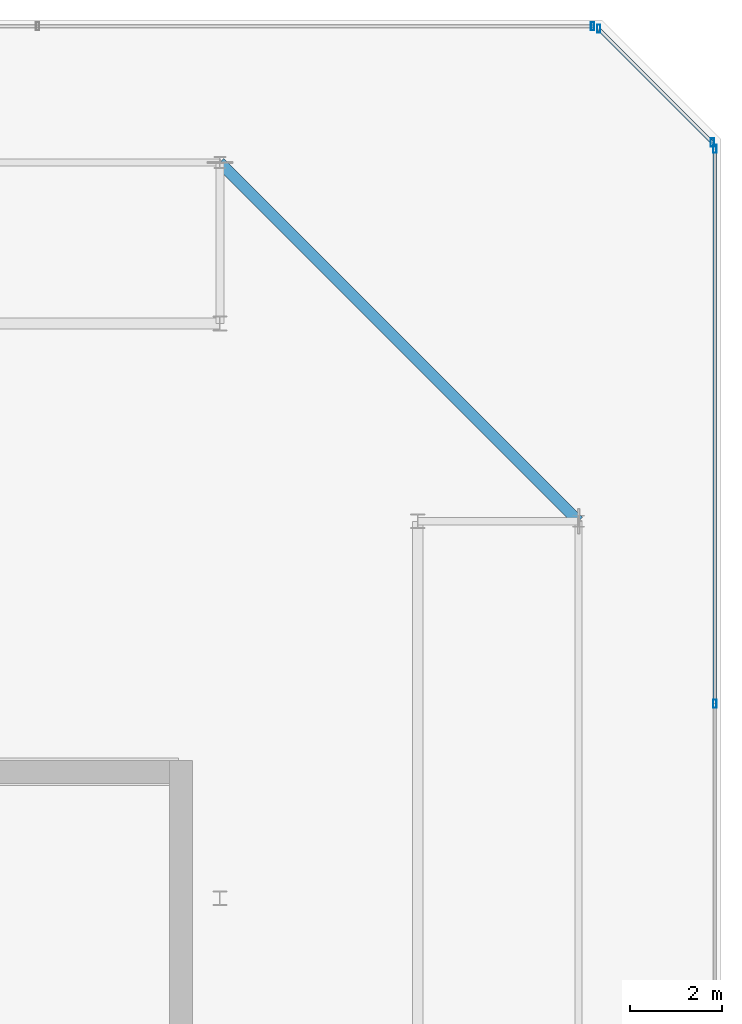
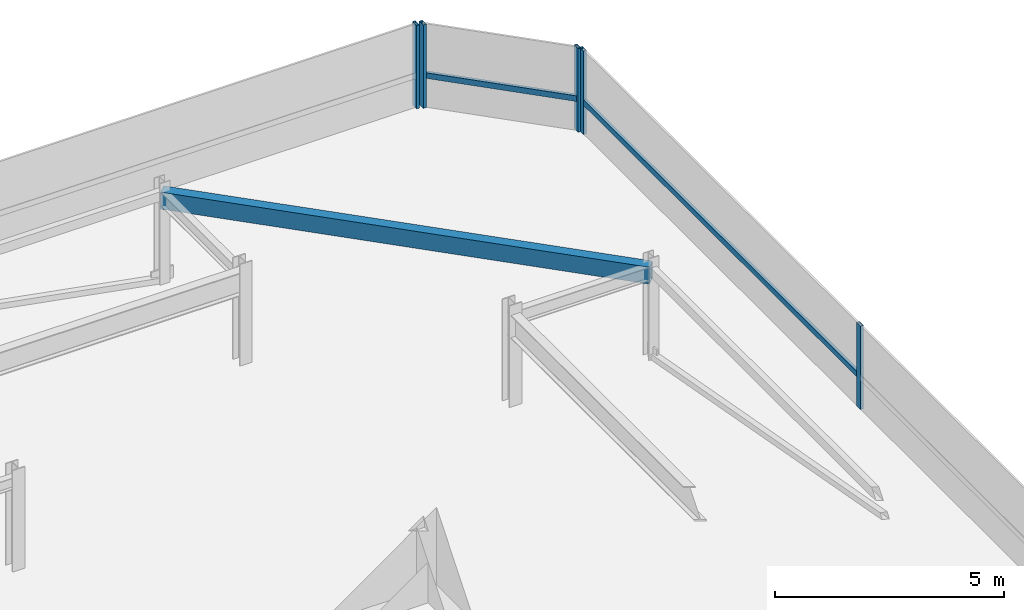
# One storey, part 38 of 44: 7 members, 1 beam, 3 elements without a shape of their own.
"""IFC4 building model written with IfcOpenShell, lengths in metres."""

import ifcopenshell
import ifcopenshell.guid

model = None  # the IFC model being written
_history = None  # IfcOwnerHistory: only IFC2X3 demands one
_inside = {}  # id of a spatial element -> (the spatial element, [elements in it])
_under = {}  # id of a project, library or spatial element -> (it, [spatial elements below it])
_declared = {}  # id of a project -> (the project, [libraries it declares])
_typed = {}  # id of a type object -> (the type object, [elements of that type])
_made_of = {}  # id of a material, layer set ... -> (it, [elements and type objects made of it])


def new_model(schema):
    """Start an empty IFC model of exactly this schema.

    Asked for "IFC4X3", IfcOpenShell would pick the latest addendum, in which some entities
    have other attributes; the version numbers below select the first issue.
    IFC2X3 requires an IfcOwnerHistory on every rooted entity: one is made here for all.
    """
    global model, _history
    if schema == "IFC4X3":
        model = ifcopenshell.file(schema_version=(4, 3, 0, 0))
    else:
        model = ifcopenshell.file(schema=schema)
    _inside.clear()
    _under.clear()
    _declared.clear()
    _typed.clear()
    _made_of.clear()
    _history = None
    if model.schema == "IFC2X3":
        org = make("IfcOrganization", Name="unknown")
        user = make(
            "IfcPersonAndOrganization",
            ThePerson=make("IfcPerson", FamilyName="unknown"),
            TheOrganization=org,
        )
        app = make(
            "IfcApplication",
            ApplicationDeveloper=org,
            Version="unknown",
            ApplicationFullName="unknown",
            ApplicationIdentifier="unknown",
        )
        _history = make(
            "IfcOwnerHistory",
            OwningUser=user,
            OwningApplication=app,
            ChangeAction="ADDED",
            CreationDate=0,
        )
    return model


def make(cls, **values):
    """One entity of the class cls with the attributes given. An attribute that is None is left unset."""
    return model.create_entity(
        cls, **{name: value for name, value in values.items() if value is not None}
    )


def rooted(cls, **values):
    """An entity with a GlobalId (a new one), such as an element, a storey or a relation."""
    return make(cls, GlobalId=ifcopenshell.guid.new(), OwnerHistory=_history, **values)


def si_unit(unit_type, name, prefix=None):
    """IfcSIUnit, for example si_unit("LENGTHUNIT", "METRE", prefix="MILLI")."""
    return make("IfcSIUnit", UnitType=unit_type, Prefix=prefix, Name=name)


def assignment(units):
    """IfcUnitAssignment: the units of a project."""
    return None if units is None else make("IfcUnitAssignment", Units=units)


def point(xyz):
    """IfcCartesianPoint."""
    return None if xyz is None else make("IfcCartesianPoint", Coordinates=xyz)


def direction(xyz):
    """IfcDirection."""
    return None if xyz is None else make("IfcDirection", DirectionRatios=xyz)


def frame(location, z_axis=None, x_axis=None):
    """IfcAxis2Placement3D, a coordinate frame: its origin and axes. An axis left out is left unset."""
    return make(
        "IfcAxis2Placement3D",
        Location=point(location),
        Axis=direction(z_axis),
        RefDirection=direction(x_axis),
    )


def frame_2d(location, x_axis=None):
    """IfcAxis2Placement2D, a coordinate frame in the plane: its origin and x axis."""
    return make(
        "IfcAxis2Placement2D", Location=point(location), RefDirection=direction(x_axis)
    )


def origin():
    """The frame at (0, 0, 0) with its axes left unset."""
    return frame((0.0, 0.0, 0.0))


def origin_2d():
    """The frame at (0, 0) in the plane with its x axis left unset."""
    return frame_2d((0.0, 0.0))


def place(relative_to, where):
    """IfcLocalPlacement: puts the frame where relative to a parent placement (None: the world)."""
    return make(
        "IfcLocalPlacement", PlacementRelTo=relative_to, RelativePlacement=where
    )


def context(
    kind, dimensions, precision=None, world=None, true_north=None, identifier=None
):
    """IfcGeometricRepresentationContext, for example the 3D "Model" context."""
    return make(
        "IfcGeometricRepresentationContext",
        ContextIdentifier=identifier,
        ContextType=kind,
        CoordinateSpaceDimension=dimensions,
        Precision=precision,
        WorldCoordinateSystem=world,
        TrueNorth=true_north,
    )


def subcontext(parent, identifier, kind, view, scale=None):
    """IfcGeometricRepresentationSubContext, for example "Body" below "Model"."""
    return make(
        "IfcGeometricRepresentationSubContext",
        ContextIdentifier=identifier,
        ContextType=kind,
        ParentContext=parent,
        TargetScale=scale,
        TargetView=view,
    )


def project(units=None, contexts=None):
    """IfcProject with its units and contexts."""
    return rooted(
        "IfcProject",
        Name="project",
        RepresentationContexts=contexts,
        UnitsInContext=assignment(units),
    )


def spatial(cls, under=None, at=None, **own):
    """A site, building, storey or space (cls), placed at a placement, below another one or the project."""
    s = rooted(cls, ObjectPlacement=at, **own)
    if under is not None:
        _under.setdefault(under.id(), (under, []))[1].append(s)
    return s


def profile(cls, at=None, kind="AREA", **sizes):
    """A parametric profile (cls). Its sizes go by their IFC names, for example OverallWidth=200.0."""
    return make(cls, ProfileType=kind, Position=at, **sizes)


def hollow_rectangle(**sizes):
    """IfcRectangleHollowProfileDef."""
    return profile("IfcRectangleHollowProfileDef", **sizes)


def extrude(swept, where, along, depth):
    """IfcExtrudedAreaSolid: the profile swept, set in the frame where, extruded along a direction by depth."""
    return make(
        "IfcExtrudedAreaSolid",
        SweptArea=swept,
        Position=where,
        ExtrudedDirection=direction(along),
        Depth=depth,
    )


def shape(context_of_items, identifier, shape_type, items):
    """IfcShapeRepresentation: the items that make up one representation, for example the "Body"."""
    return make(
        "IfcShapeRepresentation",
        ContextOfItems=context_of_items,
        RepresentationIdentifier=identifier,
        RepresentationType=shape_type,
        Items=items,
    )


def material(Name=None, Category=None):
    """IfcMaterial."""
    return make("IfcMaterial", Name=Name, Category=Category)


def material_profile(
    of_material, cross_section, Name=None, Category=None, Priority=None
):
    """IfcMaterialProfile: a cross section and its material."""
    return make(
        "IfcMaterialProfile",
        Name=Name,
        Material=of_material,
        Profile=cross_section,
        Priority=Priority,
        Category=Category,
    )


def profile_set(profiles, Name=None, composite=None):
    """IfcMaterialProfileSet."""
    return make(
        "IfcMaterialProfileSet",
        Name=Name,
        MaterialProfiles=profiles,
        CompositeProfile=composite,
    )


def made_of(thing, what):
    """Note that an element or type object is made of a material, layer set ...; save() writes the relation."""
    if what is not None:
        _made_of.setdefault(what.id(), (what, []))[1].append(thing)
    return thing


def type_object(cls, material=None, **own):
    """A type object (cls), such as IfcWallType, which elements share."""
    return made_of(rooted(cls, **own), material)


def element(
    cls,
    number,
    at=None,
    inside=None,
    cuts=None,
    type_object=None,
    material=None,
    context=None,
    identifier="Body",
    shape_type=None,
    held_by="IfcProductDefinitionShape",
    body=None,
    shapes=None,
    **own,
):
    """One element of the class cls, such as IfcWall. Its Tag is "e" and its number.

    at: its placement. inside: the storey or other place that contains it. cuts: it is an
    opening in that element (IfcRelVoidsElement). A single representation is given by context,
    identifier, shape_type and body (its items); several are given by shapes. held_by: the class
    of the entity that holds the representations. save() writes the other relations.
    """
    e = rooted(cls, Tag="e%d" % number, ObjectPlacement=at, **own)
    if body is not None:
        shapes = [shape(context, identifier, shape_type, body)]
    if shapes is not None:
        e.Representation = make(held_by, Representations=shapes)
    if inside is not None:
        _inside.setdefault(inside.id(), (inside, []))[1].append(e)
    if cuts is not None:
        rooted(
            "IfcRelVoidsElement", RelatingBuildingElement=cuts, RelatedOpeningElement=e
        )
    if type_object is not None:
        _typed.setdefault(type_object.id(), (type_object, []))[1].append(e)
    return made_of(e, material)


def aggregate(whole, parts):
    """IfcRelAggregates: a whole, such as a stair, and the parts it consists of."""
    return rooted("IfcRelAggregates", RelatingObject=whole, RelatedObjects=parts)


def save(model, path):
    """Write the relations noted so far, then the file.

    IfcRelAggregates (storeys below a building ...), IfcRelContainedInSpatialStructure (elements
    in a storey), IfcRelDefinesByType, IfcRelAssociatesMaterial and IfcRelDeclares: one each for
    every whole, place, type object, material and project.
    """
    for whole, parts in _under.values():
        aggregate(whole, parts)
    for where, things in _inside.values():
        rooted(
            "IfcRelContainedInSpatialStructure",
            RelatedElements=things,
            RelatingStructure=where,
        )
    for kind, things in _typed.values():
        rooted("IfcRelDefinesByType", RelatedObjects=things, RelatingType=kind)
    for what, things in _made_of.values():
        rooted("IfcRelAssociatesMaterial", RelatedObjects=things, RelatingMaterial=what)
    for by, libraries in _declared.values():
        rooted("IfcRelDeclares", RelatingContext=by, RelatedDefinitions=libraries)
    model.write(path)


model = new_model("IFC4")

# Units and contexts
model_context = context("Model", 3, precision=1e-05, world=origin(), true_north=direction((0.0, 1.0)))
body_context = subcontext(model_context, "Body", "Model", "MODEL_VIEW")
ifc_project = project(units=[si_unit("LENGTHUNIT", "METRE"), si_unit("AREAUNIT", "SQUARE_METRE"), si_unit("VOLUMEUNIT", "CUBIC_METRE"), si_unit("PLANEANGLEUNIT", "RADIAN"), si_unit("MASSUNIT", "GRAM", prefix="KILO")], contexts=[model_context])

# Site, building, storey
site_placement = place(None, origin())
site = spatial("IfcSite", under=ifc_project, at=site_placement, CompositionType="ELEMENT")
building_placement = place(site_placement, origin())
building = spatial("IfcBuilding", under=site, at=building_placement, Name="Thornwick Lancets Civic Towers", CompositionType="ELEMENT")
storey_placement = place(building_placement, frame((0.0, 0.0, 294.89990234375)))
storey = spatial("IfcBuildingStorey", under=building, at=storey_placement, Name="C06", CompositionType="ELEMENT", Elevation=294.89990234375)

# Beam
ifc_material_1 = material(Name="Steel S355JR", Category="steel")
ifc_material_profile_1 = material_profile(ifc_material_1, hollow_rectangle(XDim=0.25, YDim=0.449951171875, WallThickness=0.01611328125, at=origin_2d()), Name="RHS 450x250x16")
ifc_profile_set_1 = profile_set([ifc_material_profile_1], Name="Steel S355JR")
beam_type = type_object("IfcBeamType", Name="BM_RING_RHS450", PredefinedType="BEAM", material=ifc_profile_set_1)
beam_placement = place(storey_placement, frame((109.300048828125, 40.0, 2.215087890625), z_axis=(-0.707106781187, 0.707106781187, 0.0), x_axis=(-0.707106781187, -0.707106781187, 0.0)))
element("IfcBeam", 1, at=beam_placement, inside=storey, type_object=beam_type, Name="BM-CHAMF-C06-B-C0", PredefinedType="BEAM", context=body_context, shape_type="SweptSolid", body=[
    extrude(hollow_rectangle(XDim=0.25, YDim=0.449951171875, WallThickness=0.01611328125, at=origin_2d()), origin(), (0.0, 0.0, 1.0), 11.031005859375),
])

# Curtain wall, members
ifc_material_2 = material(Name="Crown ring acoustic-louvre and glazing screen wall", Category="glass")
curtain_wall_type = type_object("IfcCurtainWallType", Name="CW_SYS_07", PredefinedType="NOTDEFINED", material=ifc_material_2)
curtain_wall_1_placement = place(storey_placement, origin())
curtain_wall_1 = element("IfcCurtainWall", 2, at=curtain_wall_1_placement, inside=storey, type_object=curtain_wall_type, Name="C06 Curtain Wall CW-C06-B-E2", PredefinedType="NOTDEFINED")
ifc_material_3 = material(Name="Thermally broken bronze aluminium S355", Category="steel")
ifc_material_profile_2 = material_profile(ifc_material_3, hollow_rectangle(XDim=0.074951171875, YDim=0.179931640625, WallThickness=0.006103515625, at=origin_2d()), Name="RHS 180x75x6")
ifc_profile_set_2 = profile_set([ifc_material_profile_2], Name="Thermally broken bronze aluminium S355")
member_type_1 = type_object("IfcMemberType", Name="CW_MUL_180", PredefinedType="MULLION", material=ifc_profile_set_2)
member_1_placement = place(storey_placement, frame((112.2646484375, 36.03369140625, 0.0), z_axis=(0.0, 0.0, 1.0), x_axis=(1.0, 0.0, 0.0)))
member_1 = element("IfcMember", 3, at=member_1_placement, type_object=member_type_1, Name="CW-C06-B-E2 Mullion 2", PredefinedType="MULLION", context=body_context, shape_type="SweptSolid", body=[
    extrude(hollow_rectangle(XDim=0.074951171875, YDim=0.179931640625, WallThickness=0.006103515625, at=origin_2d()), origin(), (0.0, 0.0, 1.0), 2.22021484375),
])
member_2_placement = place(storey_placement, frame((112.2646484375, 48.101318359375, 0.0), z_axis=(0.0, 0.0, 1.0), x_axis=(1.0, 0.0, 0.0)))
member_2 = element("IfcMember", 4, at=member_2_placement, type_object=member_type_1, Name="CW-C06-B-E2 Mullion 3", PredefinedType="MULLION", context=body_context, shape_type="SweptSolid", body=[
    extrude(hollow_rectangle(XDim=0.074951171875, YDim=0.179931640625, WallThickness=0.006103515625, at=origin_2d()), origin(), (0.0, 0.0, 1.0), 2.22021484375),
])

curtain_wall_2_placement = place(storey_placement, origin())
curtain_wall_2 = element("IfcCurtainWall", 5, at=curtain_wall_2_placement, inside=storey, type_object=curtain_wall_type, Name="C06 Curtain Wall CW-C06-B-E3", PredefinedType="NOTDEFINED")
member_3_placement = place(storey_placement, frame((112.2080078125, 48.238037109375, 0.0), z_axis=(0.0, 0.0, 1.0), x_axis=(1.0, 0.0, 0.0)))
member_3 = element("IfcMember", 6, at=member_3_placement, type_object=member_type_1, Name="CW-C06-B-E3 Mullion 0", PredefinedType="MULLION", context=body_context, shape_type="SweptSolid", body=[
    extrude(hollow_rectangle(XDim=0.074951171875, YDim=0.179931640625, WallThickness=0.006103515625, at=origin_2d()), origin(), (0.0, 0.0, 1.0), 2.22021484375),
])
member_4_placement = place(storey_placement, frame((109.738037109375, 50.7080078125, 0.0), z_axis=(0.0, 0.0, 1.0), x_axis=(1.0, 0.0, 0.0)))
member_4 = element("IfcMember", 7, at=member_4_placement, type_object=member_type_1, Name="CW-C06-B-E3 Mullion 1", PredefinedType="MULLION", context=body_context, shape_type="SweptSolid", body=[
    extrude(hollow_rectangle(XDim=0.074951171875, YDim=0.179931640625, WallThickness=0.006103515625, at=origin_2d()), origin(), (0.0, 0.0, 1.0), 2.22021484375),
])

# Curtain wall, member
curtain_wall_3_placement = place(storey_placement, origin())
curtain_wall_3 = element("IfcCurtainWall", 8, at=curtain_wall_3_placement, inside=storey, type_object=curtain_wall_type, Name="C06 Curtain Wall CW-C06-B-E4", PredefinedType="NOTDEFINED")
member_5_placement = place(storey_placement, frame((109.601318359375, 50.7646484375, 0.0), z_axis=(0.0, 0.0, 1.0), x_axis=(1.0, 0.0, 0.0)))
member_5 = element("IfcMember", 9, at=member_5_placement, type_object=member_type_1, Name="CW-C06-B-E4 Mullion 0", PredefinedType="MULLION", context=body_context, shape_type="SweptSolid", body=[
    extrude(hollow_rectangle(XDim=0.074951171875, YDim=0.179931640625, WallThickness=0.006103515625, at=origin_2d()), origin(), (0.0, 0.0, 1.0), 2.22021484375),
])
aggregate(curtain_wall_3, [member_5])

# Member
ifc_material_profile_3 = material_profile(ifc_material_3, hollow_rectangle(XDim=0.074951171875, YDim=0.14990234375, WallThickness=0.0048828125, at=origin_2d()), Name="RHS 150x75x5")
ifc_profile_set_3 = profile_set([ifc_material_profile_3], Name="Thermally broken bronze aluminium S355")
member_type_2 = type_object("IfcMemberType", Name="CW_TRN_150", PredefinedType="USERDEFINED", material=ifc_profile_set_3)
member_6_placement = place(storey_placement, frame((112.2646484375, 36.0537109375, 0.85009765625), z_axis=(0.0, 1.0, 0.0), x_axis=(-1.0, 0.0, 0.0)))
member_6 = element("IfcMember", 10, at=member_6_placement, type_object=member_type_2, Name="CW-C06-B-E2 Transom 2", ObjectType="TRANSOM", PredefinedType="USERDEFINED", context=body_context, shape_type="SweptSolid", body=[
    extrude(hollow_rectangle(XDim=0.074951171875, YDim=0.14990234375, WallThickness=0.0048828125, at=origin_2d()), origin(), (0.0, 0.0, 1.0), 12.027587890625),
])

aggregate(curtain_wall_1, [member_1, member_2, member_6])

member_7_placement = place(storey_placement, frame((112.19384765625, 48.252197265625, 0.85009765625), z_axis=(-0.707106781187, 0.707106781187, 0.0), x_axis=(-0.707106781187, -0.707106781187, 0.0)))
member_7 = element("IfcMember", 11, at=member_7_placement, type_object=member_type_2, Name="CW-C06-B-E3 Transom 0", ObjectType="TRANSOM", PredefinedType="USERDEFINED", context=body_context, shape_type="SweptSolid", body=[
    extrude(hollow_rectangle(XDim=0.074951171875, YDim=0.14990234375, WallThickness=0.0048828125, at=origin_2d()), origin(), (0.0, 0.0, 1.0), 3.453125),
])

aggregate(curtain_wall_2, [member_3, member_4, member_7])

save(model, "model.ifc")
